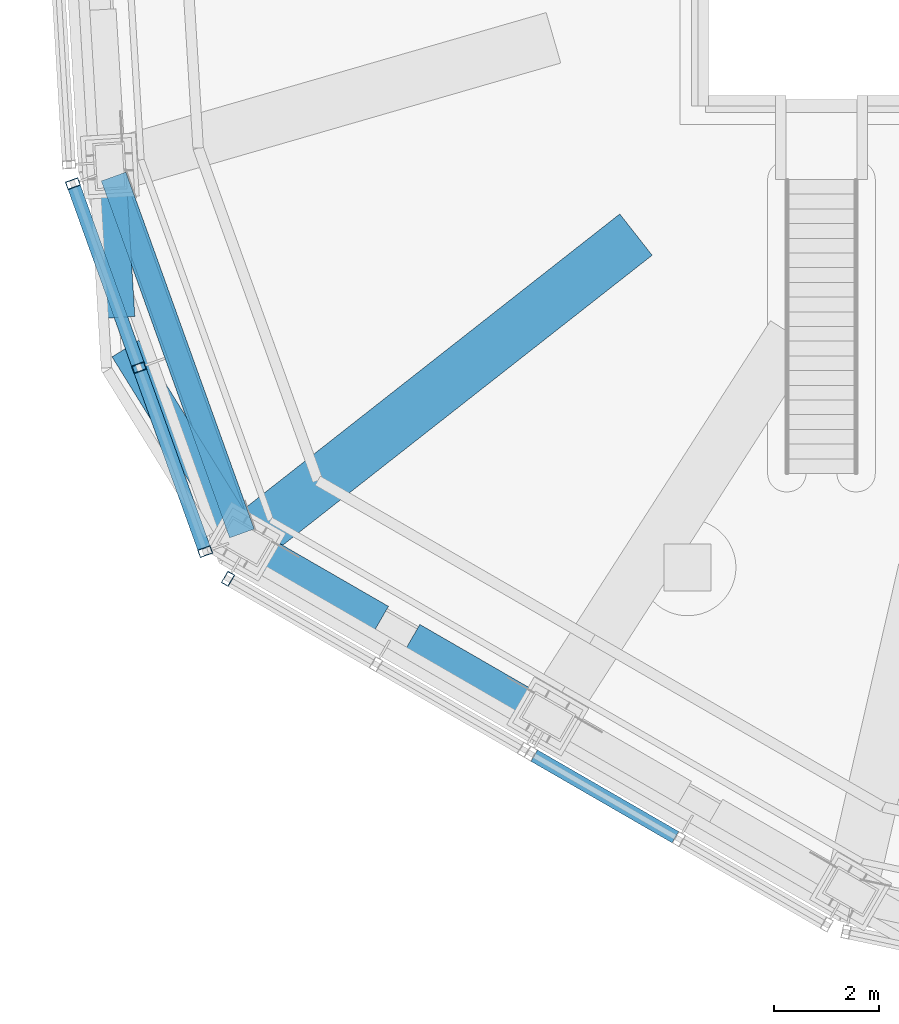
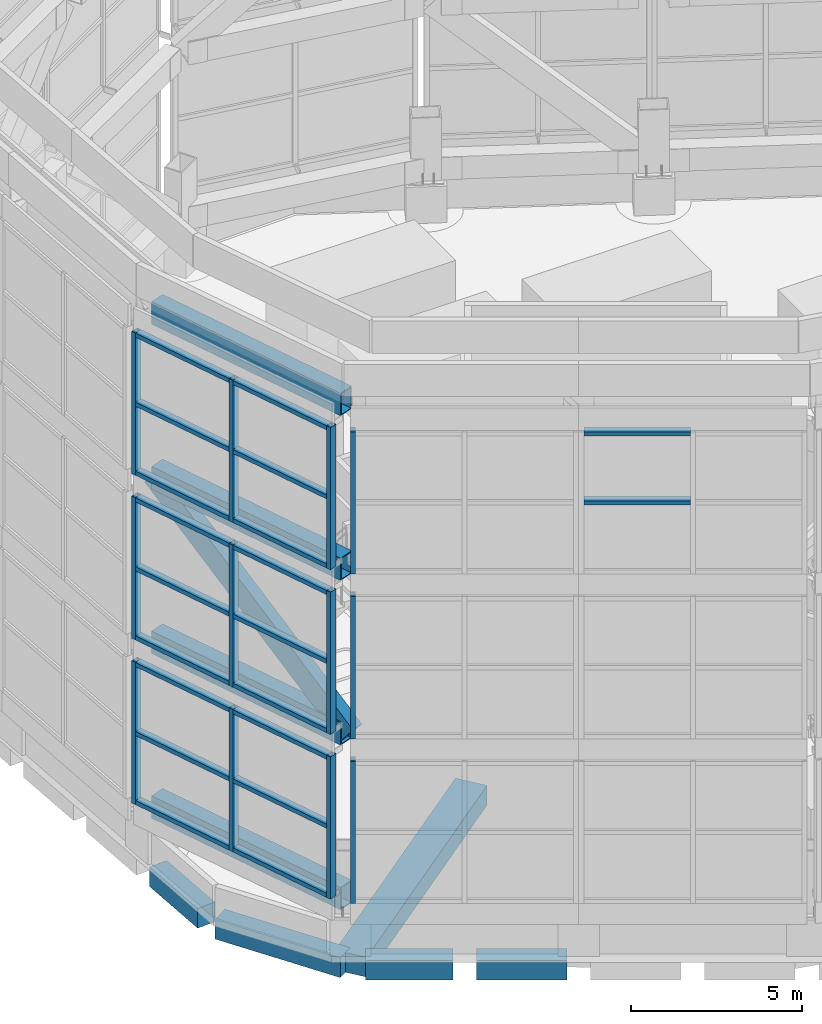
# One storey, part 3 of 46: 37 members, 5 beams, 7 elements without a shape of their own.
"""IFC4 building model written with IfcOpenShell, lengths in metres."""

from ifc_helpers import new_model, si_unit, direction, frame, origin, origin_2d, place, context, subcontext, project, spatial, rectangle, hollow_rectangle, extrude, material, material_profile, profile_set, type_object, element, aggregate, save


model = new_model("IFC4")

# Units and contexts
model_context = context("Model", 3, precision=1e-05, world=origin(), true_north=direction((0.0, 1.0)))
body_context = subcontext(model_context, "Body", "Model", "MODEL_VIEW")
ifc_project = project(units=[si_unit("LENGTHUNIT", "METRE"), si_unit("AREAUNIT", "SQUARE_METRE"), si_unit("VOLUMEUNIT", "CUBIC_METRE"), si_unit("PLANEANGLEUNIT", "RADIAN"), si_unit("MASSUNIT", "GRAM", prefix="KILO")], contexts=[model_context])

# Site, building, storey
site_placement = place(None, origin())
site = spatial("IfcSite", under=ifc_project, at=site_placement, CompositionType="ELEMENT")
building_placement = place(site_placement, origin())
building = spatial("IfcBuilding", under=site, at=building_placement, Name="Vanh Sen Convention Tower", CompositionType="ELEMENT")
storey_placement = place(building_placement, frame((0.0, 0.0, 305.0)))
storey = spatial("IfcBuildingStorey", under=building, at=storey_placement, Name="Roof level", CompositionType="ELEMENT", Elevation=305.0)

# Members
ifc_material_1 = material(Name="Steel S460", Category="steel")
ifc_material_profile_1 = material_profile(ifc_material_1, hollow_rectangle(XDim=0.39990234375, YDim=0.800048828125, WallThickness=0.02490234375, at=origin_2d()), Name="BOX 800X400X25")
ifc_profile_set_1 = profile_set([ifc_material_profile_1], Name="Steel S460")
member_type_1 = type_object("IfcMemberType", Name="Crown brace BOX 800X400X25", PredefinedType="BRACE", material=ifc_profile_set_1)
member_1_placement = place(storey_placement, frame((-18.461669921875, -5.48291015625, 13.481689453125), z_axis=(0.266299559389, -0.740613568359, -0.616908491619), x_axis=(0.941017457833, 0.33835801166, 0.0)))
element("IfcMember", 1, at=member_1_placement, inside=storey, type_object=member_type_1, Name="CROWN FRAME brace tier 2 span 12", PredefinedType="BRACE", context=body_context, shape_type="SweptSolid", body=[
    extrude(hollow_rectangle(XDim=0.39990234375, YDim=0.800048828125, WallThickness=0.02490234375, at=origin_2d()), origin(), (0.0, 0.0, 1.0), 9.5126953125),
])
ifc_material_profile_2 = material_profile(ifc_material_1, hollow_rectangle(XDim=0.5, YDim=0.800048828125, WallThickness=0.030029296875, at=origin_2d()), Name="BOX 800X500X30")
ifc_profile_set_2 = profile_set([ifc_material_profile_2], Name="Steel S460")
member_type_2 = type_object("IfcMemberType", Name="Crown ring beam BOX 800X500X30", PredefinedType="CHORD", material=ifc_profile_set_2)
for number, where, z_axis, x_axis, name in (
    (2, (-18.436767578125, -5.5517578125, 1.7451171875), (0.338342680956, -0.941022970094, 0.0), (0.941022970094, 0.338342680956, 0.0), "CROWN FRAME ring beam 1 span 12"),
    (3, (-18.436767578125, -5.5517578125, 7.61328125), (0.338342680956, -0.941022970094, 0.0), (0.941022970094, 0.338342680956, 0.0), "CROWN FRAME ring beam 2 span 12"),
    (4, (-18.436767578125, -5.5517578125, 13.481689453125), (0.338342680956, -0.941022970094, 0.0), (0.941022970094, 0.338342680956, 0.0), "CROWN FRAME ring beam 3 span 12"),
    (5, (-18.436767578125, -5.5517578125, 19.35009765625), (0.338342680956, -0.941022970094, 0.0), (0.941022970094, 0.338342680956, 0.0), "CROWN FRAME ring beam 4 span 12"),
):
    element("IfcMember", number, at=place(storey_placement, frame(where, z_axis=z_axis, x_axis=x_axis)), inside=storey, type_object=member_type_2, Name=name, PredefinedType="CHORD", context=body_context, shape_type="SweptSolid", body=[
        extrude(hollow_rectangle(XDim=0.5, YDim=0.800048828125, WallThickness=0.030029296875, at=origin_2d()), origin(), (0.0, 0.0, 1.0), 7.22802734375),
    ])

# Curtain wall, members
ifc_material_2 = material(Name="Concrete C60/75", Category="concrete")
curtain_wall_type = type_object("IfcCurtainWallType", Name="Crown screen", PredefinedType="NOTDEFINED", material=ifc_material_2)
curtain_wall_1_placement = place(storey_placement, origin())
curtain_wall_1 = element("IfcCurtainWall", 6, at=curtain_wall_1_placement, inside=storey, type_object=curtain_wall_type, Name="CROWN SCREEN 12 tier 1", PredefinedType="NOTDEFINED")
ifc_material_3 = material(Name="Steel S355", Category="steel")
ifc_material_profile_3 = material_profile(ifc_material_3, hollow_rectangle(XDim=0.25, YDim=0.14990234375, WallThickness=0.008056640625, at=origin_2d()), Name="RHS 250X150X8")
ifc_profile_set_3 = profile_set([ifc_material_profile_3], Name="Steel S355")
member_type_3 = type_object("IfcMemberType", Name="Crown screen mullion RHS 250X150X8", PredefinedType="MULLION", material=ifc_profile_set_3)
member_2_placement = place(storey_placement, frame((-19.21142578125, -5.687744140625, 2.14501953125), z_axis=(0.0, 0.0, 1.0), x_axis=(0.941020665295, 0.338349091158, 0.0)))
member_2 = element("IfcMember", 7, at=member_2_placement, type_object=member_type_3, Name="CROWN SCREEN6 mullion 1", PredefinedType="MULLION", context=body_context, shape_type="SweptSolid", body=[
    extrude(hollow_rectangle(XDim=0.25, YDim=0.14990234375, WallThickness=0.008056640625, at=origin_2d()), origin(), (0.0, 0.0, 1.0), 5.068359375),
])
member_3_placement = place(storey_placement, frame((-17.950927734375, -9.193603515625, 2.14501953125), z_axis=(0.0, 0.0, 1.0), x_axis=(0.941020665295, 0.338349091158, 0.0)))
member_3 = element("IfcMember", 8, at=member_3_placement, type_object=member_type_3, Name="CROWN SCREEN6 mullion 2", PredefinedType="MULLION", context=body_context, shape_type="SweptSolid", body=[
    extrude(hollow_rectangle(XDim=0.25, YDim=0.14990234375, WallThickness=0.008056640625, at=origin_2d()), origin(), (0.0, 0.0, 1.0), 5.068359375),
])
member_4_placement = place(storey_placement, frame((-16.6904296875, -12.699462890625, 2.14501953125), z_axis=(0.0, 0.0, 1.0), x_axis=(0.941020665295, 0.338349091158, 0.0)))
member_4 = element("IfcMember", 9, at=member_4_placement, type_object=member_type_3, Name="CROWN SCREEN6 mullion 3", PredefinedType="MULLION", context=body_context, shape_type="SweptSolid", body=[
    extrude(hollow_rectangle(XDim=0.25, YDim=0.14990234375, WallThickness=0.008056640625, at=origin_2d()), origin(), (0.0, 0.0, 1.0), 5.068359375),
])

curtain_wall_2_placement = place(storey_placement, origin())
curtain_wall_2 = element("IfcCurtainWall", 10, at=curtain_wall_2_placement, inside=storey, type_object=curtain_wall_type, Name="CROWN SCREEN 12 tier 2", PredefinedType="NOTDEFINED")
member_5_placement = place(storey_placement, frame((-19.21142578125, -5.687744140625, 8.01318359375), z_axis=(0.0, 0.0, 1.0), x_axis=(0.941020665295, 0.338349091158, 0.0)))
member_5 = element("IfcMember", 11, at=member_5_placement, type_object=member_type_3, Name="CROWN SCREEN6 mullion 1", PredefinedType="MULLION", context=body_context, shape_type="SweptSolid", body=[
    extrude(hollow_rectangle(XDim=0.25, YDim=0.14990234375, WallThickness=0.008056640625, at=origin_2d()), origin(), (0.0, 0.0, 1.0), 5.068603515625),
])
member_6_placement = place(storey_placement, frame((-17.950927734375, -9.193603515625, 8.01318359375), z_axis=(0.0, 0.0, 1.0), x_axis=(0.941020665295, 0.338349091158, 0.0)))
member_6 = element("IfcMember", 12, at=member_6_placement, type_object=member_type_3, Name="CROWN SCREEN6 mullion 2", PredefinedType="MULLION", context=body_context, shape_type="SweptSolid", body=[
    extrude(hollow_rectangle(XDim=0.25, YDim=0.14990234375, WallThickness=0.008056640625, at=origin_2d()), origin(), (0.0, 0.0, 1.0), 5.068603515625),
])
member_7_placement = place(storey_placement, frame((-16.6904296875, -12.699462890625, 8.01318359375), z_axis=(0.0, 0.0, 1.0), x_axis=(0.941020665295, 0.338349091158, 0.0)))
member_7 = element("IfcMember", 13, at=member_7_placement, type_object=member_type_3, Name="CROWN SCREEN6 mullion 3", PredefinedType="MULLION", context=body_context, shape_type="SweptSolid", body=[
    extrude(hollow_rectangle(XDim=0.25, YDim=0.14990234375, WallThickness=0.008056640625, at=origin_2d()), origin(), (0.0, 0.0, 1.0), 5.068603515625),
])

curtain_wall_3_placement = place(storey_placement, origin())
curtain_wall_3 = element("IfcCurtainWall", 14, at=curtain_wall_3_placement, inside=storey, type_object=curtain_wall_type, Name="CROWN SCREEN 12 tier 3", PredefinedType="NOTDEFINED")
member_8_placement = place(storey_placement, frame((-19.21142578125, -5.687744140625, 13.881591796875), z_axis=(0.0, 0.0, 1.0), x_axis=(0.941020665295, 0.338349091158, 0.0)))
member_8 = element("IfcMember", 15, at=member_8_placement, type_object=member_type_3, Name="CROWN SCREEN6 mullion 1", PredefinedType="MULLION", context=body_context, shape_type="SweptSolid", body=[
    extrude(hollow_rectangle(XDim=0.25, YDim=0.14990234375, WallThickness=0.008056640625, at=origin_2d()), origin(), (0.0, 0.0, 1.0), 5.068359375),
])
member_9_placement = place(storey_placement, frame((-17.950927734375, -9.193603515625, 13.881591796875), z_axis=(0.0, 0.0, 1.0), x_axis=(0.941020665295, 0.338349091158, 0.0)))
member_9 = element("IfcMember", 16, at=member_9_placement, type_object=member_type_3, Name="CROWN SCREEN6 mullion 2", PredefinedType="MULLION", context=body_context, shape_type="SweptSolid", body=[
    extrude(hollow_rectangle(XDim=0.25, YDim=0.14990234375, WallThickness=0.008056640625, at=origin_2d()), origin(), (0.0, 0.0, 1.0), 5.068359375),
])
member_10_placement = place(storey_placement, frame((-16.6904296875, -12.699462890625, 13.881591796875), z_axis=(0.0, 0.0, 1.0), x_axis=(0.941020665295, 0.338349091158, 0.0)))
member_10 = element("IfcMember", 17, at=member_10_placement, type_object=member_type_3, Name="CROWN SCREEN6 mullion 3", PredefinedType="MULLION", context=body_context, shape_type="SweptSolid", body=[
    extrude(hollow_rectangle(XDim=0.25, YDim=0.14990234375, WallThickness=0.008056640625, at=origin_2d()), origin(), (0.0, 0.0, 1.0), 5.068359375),
])

# Curtain wall, member
curtain_wall_4_placement = place(storey_placement, origin())
curtain_wall_4 = element("IfcCurtainWall", 18, at=curtain_wall_4_placement, inside=storey, type_object=curtain_wall_type, Name="CROWN SCREEN 13 tier 1", PredefinedType="NOTDEFINED")
member_11_placement = place(storey_placement, frame((-16.25830078125, -13.216552734375, 2.14501953125), z_axis=(0.0, 0.0, 1.0), x_axis=(0.500004787758, 0.866022639554, 0.0)))
member_11 = element("IfcMember", 19, at=member_11_placement, type_object=member_type_3, Name="CROWN SCREEN6 mullion 1", PredefinedType="MULLION", context=body_context, shape_type="SweptSolid", body=[
    extrude(hollow_rectangle(XDim=0.25, YDim=0.14990234375, WallThickness=0.008056640625, at=origin_2d()), origin(), (0.0, 0.0, 1.0), 5.068359375),
])
aggregate(curtain_wall_4, [member_11])

curtain_wall_5_placement = place(storey_placement, origin())
curtain_wall_5 = element("IfcCurtainWall", 20, at=curtain_wall_5_placement, inside=storey, type_object=curtain_wall_type, Name="CROWN SCREEN 13 tier 2", PredefinedType="NOTDEFINED")
member_12_placement = place(storey_placement, frame((-16.25830078125, -13.216552734375, 8.01318359375), z_axis=(0.0, 0.0, 1.0), x_axis=(0.500004787758, 0.866022639554, 0.0)))
member_12 = element("IfcMember", 21, at=member_12_placement, type_object=member_type_3, Name="CROWN SCREEN6 mullion 1", PredefinedType="MULLION", context=body_context, shape_type="SweptSolid", body=[
    extrude(hollow_rectangle(XDim=0.25, YDim=0.14990234375, WallThickness=0.008056640625, at=origin_2d()), origin(), (0.0, 0.0, 1.0), 5.068603515625),
])
aggregate(curtain_wall_5, [member_12])

curtain_wall_6_placement = place(storey_placement, origin())
curtain_wall_6 = element("IfcCurtainWall", 22, at=curtain_wall_6_placement, inside=storey, type_object=curtain_wall_type, Name="CROWN SCREEN 13 tier 3", PredefinedType="NOTDEFINED")
member_13_placement = place(storey_placement, frame((-16.25830078125, -13.216552734375, 13.881591796875), z_axis=(0.0, 0.0, 1.0), x_axis=(0.500004787758, 0.866022639554, 0.0)))
member_13 = element("IfcMember", 23, at=member_13_placement, type_object=member_type_3, Name="CROWN SCREEN6 mullion 1", PredefinedType="MULLION", context=body_context, shape_type="SweptSolid", body=[
    extrude(hollow_rectangle(XDim=0.25, YDim=0.14990234375, WallThickness=0.008056640625, at=origin_2d()), origin(), (0.0, 0.0, 1.0), 5.068359375),
])
aggregate(curtain_wall_6, [member_13])

# Member
ifc_material_profile_4 = material_profile(ifc_material_3, hollow_rectangle(XDim=0.25, YDim=0.14990234375, WallThickness=0.008056640625, at=origin_2d()), Name="RHS 250X150X8")
ifc_profile_set_4 = profile_set([ifc_material_profile_4], Name="Steel S355")
member_type_4 = type_object("IfcMemberType", Name="Crown screen transom RHS 250X150X8", PredefinedType="USERDEFINED", material=ifc_profile_set_4)
member_14_placement = place(storey_placement, frame((-19.18603515625, -5.75830078125, 2.219970703125), z_axis=(0.338325331903, -0.941029207726, 0.0), x_axis=(0.941029207726, 0.338325331903, 0.0)))
member_14 = element("IfcMember", 24, at=member_14_placement, type_object=member_type_4, Name="CROWN SCREEN6 transom 1.1", ObjectType="TRANSOM", PredefinedType="USERDEFINED", context=body_context, shape_type="SweptSolid", body=[
    extrude(hollow_rectangle(XDim=0.25, YDim=0.14990234375, WallThickness=0.008056640625, at=origin_2d()), origin(), (0.0, 0.0, 1.0), 3.57568359375),
])

member_15_placement = place(storey_placement, frame((-19.18603515625, -5.75830078125, 4.67919921875), z_axis=(0.338325331903, -0.941029207726, 0.0), x_axis=(0.941029207726, 0.338325331903, 0.0)))
member_15 = element("IfcMember", 25, at=member_15_placement, type_object=member_type_4, Name="CROWN SCREEN6 transom 1.2", ObjectType="TRANSOM", PredefinedType="USERDEFINED", context=body_context, shape_type="SweptSolid", body=[
    extrude(hollow_rectangle(XDim=0.25, YDim=0.14990234375, WallThickness=0.008056640625, at=origin_2d()), origin(), (0.0, 0.0, 1.0), 3.57568359375),
])

member_16_placement = place(storey_placement, frame((-19.18603515625, -5.75830078125, 7.13818359375), z_axis=(0.338325331903, -0.941029207726, 0.0), x_axis=(0.941029207726, 0.338325331903, 0.0)))
member_16 = element("IfcMember", 26, at=member_16_placement, type_object=member_type_4, Name="CROWN SCREEN6 transom 1.3", ObjectType="TRANSOM", PredefinedType="USERDEFINED", context=body_context, shape_type="SweptSolid", body=[
    extrude(hollow_rectangle(XDim=0.25, YDim=0.14990234375, WallThickness=0.008056640625, at=origin_2d()), origin(), (0.0, 0.0, 1.0), 3.57568359375),
])

member_17_placement = place(storey_placement, frame((-17.925537109375, -9.26416015625, 2.219970703125), z_axis=(0.338325331903, -0.941029207726, 0.0), x_axis=(0.941029207726, 0.338325331903, 0.0)))
member_17 = element("IfcMember", 27, at=member_17_placement, type_object=member_type_4, Name="CROWN SCREEN6 transom 2.1", ObjectType="TRANSOM", PredefinedType="USERDEFINED", context=body_context, shape_type="SweptSolid", body=[
    extrude(hollow_rectangle(XDim=0.25, YDim=0.14990234375, WallThickness=0.008056640625, at=origin_2d()), origin(), (0.0, 0.0, 1.0), 3.57568359375),
])

member_18_placement = place(storey_placement, frame((-17.925537109375, -9.26416015625, 4.67919921875), z_axis=(0.338325331903, -0.941029207726, 0.0), x_axis=(0.941029207726, 0.338325331903, 0.0)))
member_18 = element("IfcMember", 28, at=member_18_placement, type_object=member_type_4, Name="CROWN SCREEN6 transom 2.2", ObjectType="TRANSOM", PredefinedType="USERDEFINED", context=body_context, shape_type="SweptSolid", body=[
    extrude(hollow_rectangle(XDim=0.25, YDim=0.14990234375, WallThickness=0.008056640625, at=origin_2d()), origin(), (0.0, 0.0, 1.0), 3.57568359375),
])

member_19_placement = place(storey_placement, frame((-17.925537109375, -9.26416015625, 7.13818359375), z_axis=(0.338325331903, -0.941029207726, 0.0), x_axis=(0.941029207726, 0.338325331903, 0.0)))
member_19 = element("IfcMember", 29, at=member_19_placement, type_object=member_type_4, Name="CROWN SCREEN6 transom 2.3", ObjectType="TRANSOM", PredefinedType="USERDEFINED", context=body_context, shape_type="SweptSolid", body=[
    extrude(hollow_rectangle(XDim=0.25, YDim=0.14990234375, WallThickness=0.008056640625, at=origin_2d()), origin(), (0.0, 0.0, 1.0), 3.57568359375),
])

aggregate(curtain_wall_1, [member_2, member_3, member_4, member_14, member_15, member_16, member_17, member_18, member_19])

member_20_placement = place(storey_placement, frame((-19.18603515625, -5.75830078125, 8.08837890625), z_axis=(0.338325331903, -0.941029207726, 0.0), x_axis=(0.941029207726, 0.338325331903, 0.0)))
member_20 = element("IfcMember", 30, at=member_20_placement, type_object=member_type_4, Name="CROWN SCREEN6 transom 1.1", ObjectType="TRANSOM", PredefinedType="USERDEFINED", context=body_context, shape_type="SweptSolid", body=[
    extrude(hollow_rectangle(XDim=0.25, YDim=0.14990234375, WallThickness=0.008056640625, at=origin_2d()), origin(), (0.0, 0.0, 1.0), 3.57568359375),
])

member_21_placement = place(storey_placement, frame((-19.18603515625, -5.75830078125, 10.547607421875), z_axis=(0.338325331903, -0.941029207726, 0.0), x_axis=(0.941029207726, 0.338325331903, 0.0)))
member_21 = element("IfcMember", 31, at=member_21_placement, type_object=member_type_4, Name="CROWN SCREEN6 transom 1.2", ObjectType="TRANSOM", PredefinedType="USERDEFINED", context=body_context, shape_type="SweptSolid", body=[
    extrude(hollow_rectangle(XDim=0.25, YDim=0.14990234375, WallThickness=0.008056640625, at=origin_2d()), origin(), (0.0, 0.0, 1.0), 3.57568359375),
])

member_22_placement = place(storey_placement, frame((-19.18603515625, -5.75830078125, 13.006591796875), z_axis=(0.338325331903, -0.941029207726, 0.0), x_axis=(0.941029207726, 0.338325331903, 0.0)))
member_22 = element("IfcMember", 32, at=member_22_placement, type_object=member_type_4, Name="CROWN SCREEN6 transom 1.3", ObjectType="TRANSOM", PredefinedType="USERDEFINED", context=body_context, shape_type="SweptSolid", body=[
    extrude(hollow_rectangle(XDim=0.25, YDim=0.14990234375, WallThickness=0.008056640625, at=origin_2d()), origin(), (0.0, 0.0, 1.0), 3.57568359375),
])

member_23_placement = place(storey_placement, frame((-17.925537109375, -9.26416015625, 8.08837890625), z_axis=(0.338325331903, -0.941029207726, 0.0), x_axis=(0.941029207726, 0.338325331903, 0.0)))
member_23 = element("IfcMember", 33, at=member_23_placement, type_object=member_type_4, Name="CROWN SCREEN6 transom 2.1", ObjectType="TRANSOM", PredefinedType="USERDEFINED", context=body_context, shape_type="SweptSolid", body=[
    extrude(hollow_rectangle(XDim=0.25, YDim=0.14990234375, WallThickness=0.008056640625, at=origin_2d()), origin(), (0.0, 0.0, 1.0), 3.57568359375),
])

member_24_placement = place(storey_placement, frame((-17.925537109375, -9.26416015625, 10.547607421875), z_axis=(0.338325331903, -0.941029207726, 0.0), x_axis=(0.941029207726, 0.338325331903, 0.0)))
member_24 = element("IfcMember", 34, at=member_24_placement, type_object=member_type_4, Name="CROWN SCREEN6 transom 2.2", ObjectType="TRANSOM", PredefinedType="USERDEFINED", context=body_context, shape_type="SweptSolid", body=[
    extrude(hollow_rectangle(XDim=0.25, YDim=0.14990234375, WallThickness=0.008056640625, at=origin_2d()), origin(), (0.0, 0.0, 1.0), 3.57568359375),
])

member_25_placement = place(storey_placement, frame((-17.925537109375, -9.26416015625, 13.006591796875), z_axis=(0.338325331903, -0.941029207726, 0.0), x_axis=(0.941029207726, 0.338325331903, 0.0)))
member_25 = element("IfcMember", 35, at=member_25_placement, type_object=member_type_4, Name="CROWN SCREEN6 transom 2.3", ObjectType="TRANSOM", PredefinedType="USERDEFINED", context=body_context, shape_type="SweptSolid", body=[
    extrude(hollow_rectangle(XDim=0.25, YDim=0.14990234375, WallThickness=0.008056640625, at=origin_2d()), origin(), (0.0, 0.0, 1.0), 3.57568359375),
])

aggregate(curtain_wall_2, [member_5, member_6, member_7, member_20, member_21, member_22, member_23, member_24, member_25])

member_26_placement = place(storey_placement, frame((-19.18603515625, -5.75830078125, 13.956787109375), z_axis=(0.338325331903, -0.941029207726, 0.0), x_axis=(0.941029207726, 0.338325331903, 0.0)))
member_26 = element("IfcMember", 36, at=member_26_placement, type_object=member_type_4, Name="CROWN SCREEN6 transom 1.1", ObjectType="TRANSOM", PredefinedType="USERDEFINED", context=body_context, shape_type="SweptSolid", body=[
    extrude(hollow_rectangle(XDim=0.25, YDim=0.14990234375, WallThickness=0.008056640625, at=origin_2d()), origin(), (0.0, 0.0, 1.0), 3.57568359375),
])

member_27_placement = place(storey_placement, frame((-19.18603515625, -5.75830078125, 16.415771484375), z_axis=(0.338325331903, -0.941029207726, 0.0), x_axis=(0.941029207726, 0.338325331903, 0.0)))
member_27 = element("IfcMember", 37, at=member_27_placement, type_object=member_type_4, Name="CROWN SCREEN6 transom 1.2", ObjectType="TRANSOM", PredefinedType="USERDEFINED", context=body_context, shape_type="SweptSolid", body=[
    extrude(hollow_rectangle(XDim=0.25, YDim=0.14990234375, WallThickness=0.008056640625, at=origin_2d()), origin(), (0.0, 0.0, 1.0), 3.57568359375),
])

member_28_placement = place(storey_placement, frame((-19.18603515625, -5.75830078125, 18.875), z_axis=(0.338325331903, -0.941029207726, 0.0), x_axis=(0.941029207726, 0.338325331903, 0.0)))
member_28 = element("IfcMember", 38, at=member_28_placement, type_object=member_type_4, Name="CROWN SCREEN6 transom 1.3", ObjectType="TRANSOM", PredefinedType="USERDEFINED", context=body_context, shape_type="SweptSolid", body=[
    extrude(hollow_rectangle(XDim=0.25, YDim=0.14990234375, WallThickness=0.008056640625, at=origin_2d()), origin(), (0.0, 0.0, 1.0), 3.57568359375),
])

member_29_placement = place(storey_placement, frame((-17.925537109375, -9.26416015625, 13.956787109375), z_axis=(0.338325331903, -0.941029207726, 0.0), x_axis=(0.941029207726, 0.338325331903, 0.0)))
member_29 = element("IfcMember", 39, at=member_29_placement, type_object=member_type_4, Name="CROWN SCREEN6 transom 2.1", ObjectType="TRANSOM", PredefinedType="USERDEFINED", context=body_context, shape_type="SweptSolid", body=[
    extrude(hollow_rectangle(XDim=0.25, YDim=0.14990234375, WallThickness=0.008056640625, at=origin_2d()), origin(), (0.0, 0.0, 1.0), 3.57568359375),
])

member_30_placement = place(storey_placement, frame((-17.925537109375, -9.26416015625, 16.415771484375), z_axis=(0.338325331903, -0.941029207726, 0.0), x_axis=(0.941029207726, 0.338325331903, 0.0)))
member_30 = element("IfcMember", 40, at=member_30_placement, type_object=member_type_4, Name="CROWN SCREEN6 transom 2.2", ObjectType="TRANSOM", PredefinedType="USERDEFINED", context=body_context, shape_type="SweptSolid", body=[
    extrude(hollow_rectangle(XDim=0.25, YDim=0.14990234375, WallThickness=0.008056640625, at=origin_2d()), origin(), (0.0, 0.0, 1.0), 3.57568359375),
])

member_31_placement = place(storey_placement, frame((-17.925537109375, -9.26416015625, 18.875), z_axis=(0.338325331903, -0.941029207726, 0.0), x_axis=(0.941029207726, 0.338325331903, 0.0)))
member_31 = element("IfcMember", 41, at=member_31_placement, type_object=member_type_4, Name="CROWN SCREEN6 transom 2.3", ObjectType="TRANSOM", PredefinedType="USERDEFINED", context=body_context, shape_type="SweptSolid", body=[
    extrude(hollow_rectangle(XDim=0.25, YDim=0.14990234375, WallThickness=0.008056640625, at=origin_2d()), origin(), (0.0, 0.0, 1.0), 3.57568359375),
])

aggregate(curtain_wall_3, [member_8, member_9, member_10, member_26, member_27, member_28, member_29, member_30, member_31])

# Curtain wall, members
curtain_wall_7_placement = place(storey_placement, origin())
curtain_wall_7 = element("IfcCurtainWall", 42, at=curtain_wall_7_placement, inside=storey, type_object=curtain_wall_type, Name="CROWN SCREEN 14 tier 3", PredefinedType="NOTDEFINED")
member_32_placement = place(storey_placement, frame((-10.422607421875, -16.585693359375, 16.415771484375), z_axis=(0.86600498498, -0.500035364739, 0.0), x_axis=(0.500035364739, 0.86600498498, 0.0)))
member_32 = element("IfcMember", 43, at=member_32_placement, type_object=member_type_4, Name="CROWN SCREEN6 transom 1.2", ObjectType="TRANSOM", PredefinedType="USERDEFINED", context=body_context, shape_type="SweptSolid", body=[
    extrude(hollow_rectangle(XDim=0.25, YDim=0.14990234375, WallThickness=0.008056640625, at=origin_2d()), origin(), (0.0, 0.0, 1.0), 3.106689453125),
])
member_33_placement = place(storey_placement, frame((-10.422607421875, -16.585693359375, 18.875), z_axis=(0.86600498498, -0.500035364739, 0.0), x_axis=(0.500035364739, 0.86600498498, 0.0)))
member_33 = element("IfcMember", 44, at=member_33_placement, type_object=member_type_4, Name="CROWN SCREEN6 transom 1.3", ObjectType="TRANSOM", PredefinedType="USERDEFINED", context=body_context, shape_type="SweptSolid", body=[
    extrude(hollow_rectangle(XDim=0.25, YDim=0.14990234375, WallThickness=0.008056640625, at=origin_2d()), origin(), (0.0, 0.0, 1.0), 3.106689453125),
])
aggregate(curtain_wall_7, [member_32, member_33])

# Beams
ifc_material_4 = material(Name="Concrete C50/60", Category="concrete")
ifc_material_profile_5 = material_profile(ifc_material_4, rectangle(XDim=1.0, YDim=0.699951171875, at=origin_2d()), Name="RC 1000X700")
ifc_profile_set_5 = profile_set([ifc_material_profile_5], Name="Concrete C50/60")
beam_type_1 = type_object("IfcBeamType", Name="Radial floor beam 1000 x 700", PredefinedType="BEAM", material=ifc_profile_set_5)
beam_1_placement = place(storey_placement, frame((-15.909912109375, -12.48779296875, -0.64990234375), z_axis=(0.786623367429, 0.61743313631, 0.0), x_axis=(-0.61743313631, 0.786623367429, 0.0)))
element("IfcBeam", 45, at=beam_1_placement, inside=storey, type_object=beam_type_1, Name="Radial beam 13 Roof level", PredefinedType="BEAM", context=body_context, shape_type="SweptSolid", body=[
    extrude(rectangle(XDim=1.0, YDim=0.699951171875, at=origin_2d()), origin(), (0.0, 0.0, 1.0), 9.440185546875),
])
ifc_material_profile_6 = material_profile(ifc_material_4, rectangle(XDim=0.60009765625, YDim=0.699951171875, at=origin_2d()), Name="RC 600X700")
ifc_profile_set_6 = profile_set([ifc_material_profile_6], Name="Concrete C50/60")
beam_type_2 = type_object("IfcBeamType", Name="Spandrel beam 600 x 700", PredefinedType="SPANDREL", material=ifc_profile_set_6)
beam_2_placement = place(storey_placement, frame((-18.486572265625, -5.69921875, -0.64990234375), z_axis=(0.061086629106, -0.998132468034, 0.0), x_axis=(0.998132468034, 0.061086629106, 0.0)))
element("IfcBeam", 46, at=beam_2_placement, inside=storey, type_object=beam_type_2, Name="Spandrel beam 23 Roof level", PredefinedType="SPANDREL", context=body_context, shape_type="SweptSolid", body=[
    extrude(rectangle(XDim=0.60009765625, YDim=0.699951171875, at=origin_2d()), origin(), (0.0, 0.0, 1.0), 2.541748046875),
])
beam_3_placement = place(storey_placement, frame((-18.21142578125, -8.830078125, -0.64990234375), z_axis=(0.526190514545, -0.850366710545, 0.0), x_axis=(0.850366710545, 0.526190514545, 0.0)))
element("IfcBeam", 47, at=beam_3_placement, inside=storey, type_object=beam_type_2, Name="Spandrel beam 24 Roof level", PredefinedType="SPANDREL", context=body_context, shape_type="SweptSolid", body=[
    extrude(rectangle(XDim=0.60009765625, YDim=0.699951171875, at=origin_2d()), origin(), (0.0, 0.0, 1.0), 4.14892578125),
])
beam_4_placement = place(storey_placement, frame((-15.55029296875, -12.73046875, -0.64990234375), z_axis=(0.866041625918, -0.499971901387, 0.0), x_axis=(0.499971901387, 0.866041625918, 0.0)))
element("IfcBeam", 48, at=beam_4_placement, inside=storey, type_object=beam_type_2, Name="Spandrel beam 25 Roof level", PredefinedType="SPANDREL", context=body_context, shape_type="SweptSolid", body=[
    extrude(rectangle(XDim=0.60009765625, YDim=0.699951171875, at=origin_2d()), origin(), (0.0, 0.0, 1.0), 2.541748046875),
])
beam_5_placement = place(storey_placement, frame((-12.751708984375, -14.34619140625, -0.64990234375), z_axis=(0.86603938454, -0.49997578384, 0.0), x_axis=(0.49997578384, 0.86603938454, 0.0)))
element("IfcBeam", 49, at=beam_5_placement, inside=storey, type_object=beam_type_2, Name="Spandrel beam 26 Roof level", PredefinedType="SPANDREL", context=body_context, shape_type="SweptSolid", body=[
    extrude(rectangle(XDim=0.60009765625, YDim=0.699951171875, at=origin_2d()), origin(), (0.0, 0.0, 1.0), 2.641845703125),
])

save(model, "model.ifc")
